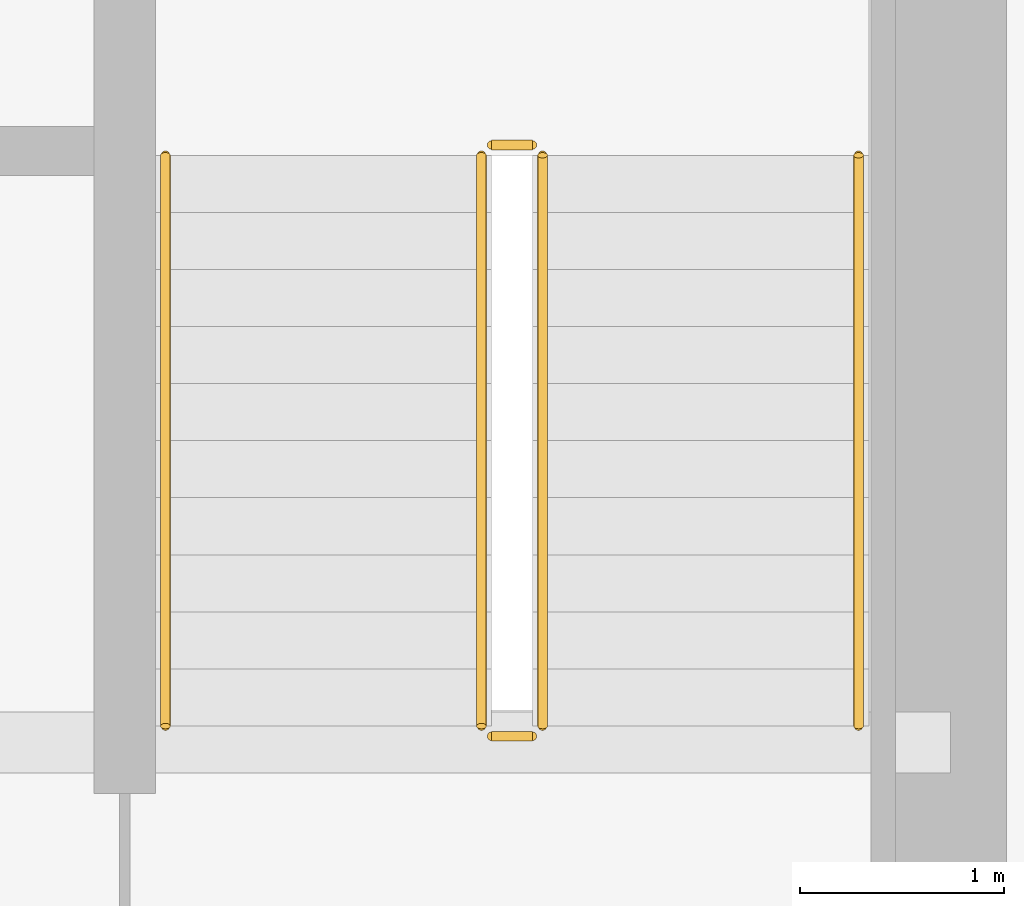
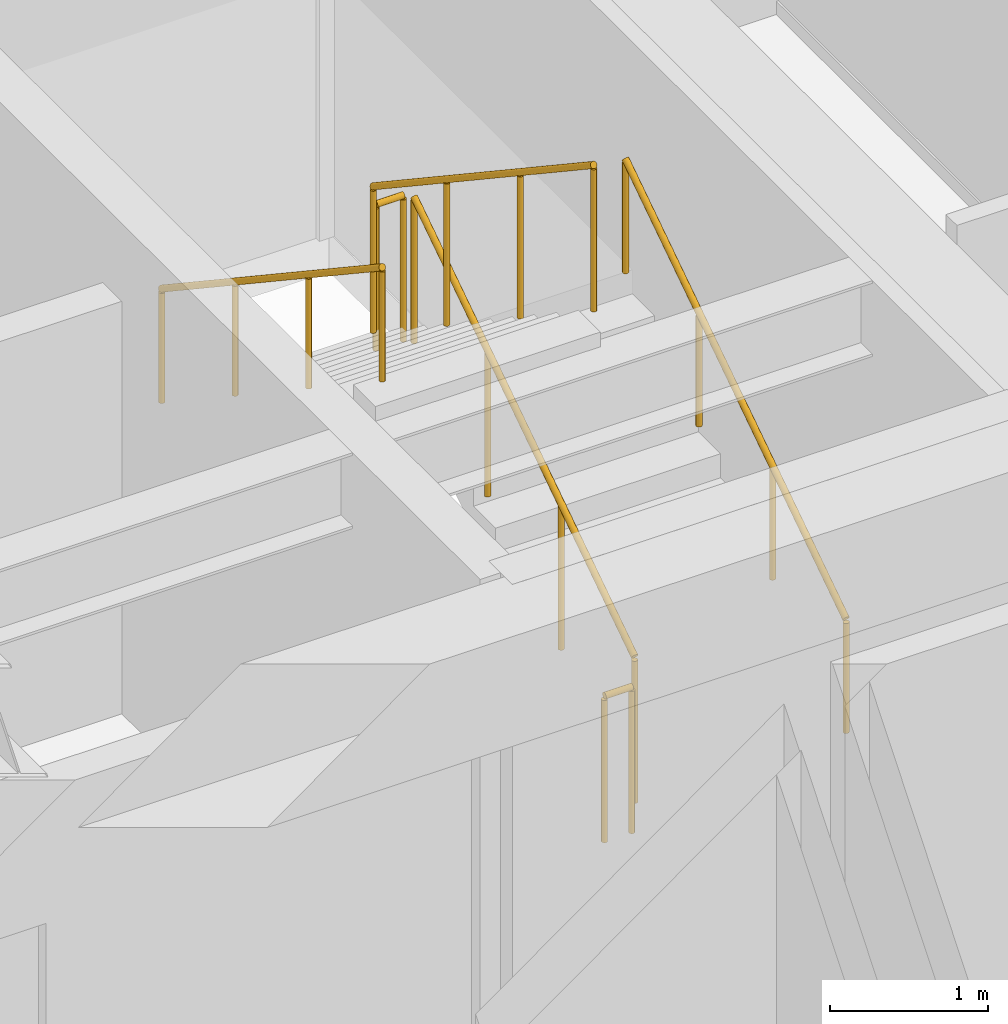
# One storey, part 33 of 33: 6 railings.
"""IFC4 building model written with IfcOpenShell, lengths in metres."""

from ifc_helpers import new_model, si_unit, direction, frame, origin, origin_2d, place, context, subcontext, project, spatial, circle, extrude, source, transform, mapped, material, type_object, type_shapes, element, save


model = new_model("IFC4")

# Units and contexts
model_context = context("Model", 3, precision=1e-05, world=origin(), true_north=direction((0.0, 1.0)))
body_context = subcontext(model_context, "Body", "Model", "MODEL_VIEW")
ifc_project = project(units=[si_unit("LENGTHUNIT", "METRE"), si_unit("AREAUNIT", "SQUARE_METRE"), si_unit("VOLUMEUNIT", "CUBIC_METRE"), si_unit("PLANEANGLEUNIT", "RADIAN"), si_unit("MASSUNIT", "GRAM", prefix="KILO")], contexts=[model_context])

# Site, building, storey
site_placement = place(None, origin())
site = spatial("IfcSite", under=ifc_project, at=site_placement, CompositionType="ELEMENT")
building_placement = place(site_placement, origin())
building = spatial("IfcBuilding", under=site, at=building_placement, Name="Haelvirn Gate Laboratories", CompositionType="ELEMENT")
storey_placement = place(building_placement, frame((0.0, 0.0, 258.800048828125)))
storey = spatial("IfcBuildingStorey", under=building, at=storey_placement, Name="L62", CompositionType="ELEMENT", Elevation=258.800048828125)

# Railings
ifc_material_1 = material(Name="Galvanised steel SM355 & stainless top rail", Category="steel")
railing_type_1 = type_object("IfcRailingType", Name="RL-GUARD-1150", PredefinedType="GUARDRAIL", material=ifc_material_1)
shared_shape_1 = source(origin(), body_context, "Body", "SweptSolid", [
    extrude(circle(Radius=0.02392578125, at=origin_2d()), frame((0.0, 0.0, 1.1259765625), z_axis=(0.0, 0.832452072856, 0.554097055034), x_axis=(-1.0, 0.0, 0.0)), (0.0, 0.0, 1.0), 3.363525390625),
    extrude(circle(Radius=0.02099609375, at=origin_2d()), origin(), (0.0, 0.0, 1.0), 1.101806640625),
    extrude(circle(Radius=0.02099609375, at=origin_2d()), frame((0.0, 0.933349609375, 0.621337890625)), (0.0, 0.0, 1.0), 1.101806640625),
    extrude(circle(Radius=0.02099609375, at=origin_2d()), frame((0.0, 1.86669921875, 1.242431640625)), (0.0, 0.0, 1.0), 1.101806640625),
    extrude(circle(Radius=0.02099609375, at=origin_2d()), frame((0.0, 2.800048828125, 1.86376953125)), (0.0, 0.0, 1.0), 1.101806640625),
])
railing_1_placement = place(storey_placement, frame((65.39990234375, 26.699951171875, 0.186279296875)))
element("IfcRailing", 1, at=railing_1_placement, inside=storey, type_object=railing_type_1, Name="L62 ST2 stair guard 1", PredefinedType="GUARDRAIL", context=body_context, shape_type="MappedRepresentation", body=[
    mapped(shared_shape_1, transform((0.0, 0.0, 0.0), scale=1.0)),
])
shared_shape_2 = source(origin(), body_context, "Body", "SweptSolid", [
    extrude(circle(Radius=0.02392578125, at=origin_2d()), frame((0.0, 0.0, 1.1259765625), z_axis=(0.0, -0.832485552168, 0.554046753832), x_axis=(1.0, 0.0, 0.0)), (0.0, 0.0, 1.0), 3.363525390625),
    extrude(circle(Radius=0.02099609375, at=origin_2d()), origin(), (0.0, 0.0, 1.0), 1.101806640625),
    extrude(circle(Radius=0.02099609375, at=origin_2d()), frame((0.0, -0.933349609375, 0.62109375)), (0.0, 0.0, 1.0), 1.101806640625),
    extrude(circle(Radius=0.02099609375, at=origin_2d()), frame((0.0, -1.86669921875, 1.242431640625)), (0.0, 0.0, 1.0), 1.101806640625),
    extrude(circle(Radius=0.02099609375, at=origin_2d()), frame((0.0, -2.800048828125, 1.863525390625)), (0.0, 0.0, 1.0), 1.101806640625),
])
railing_2_placement = place(storey_placement, frame((65.10009765625, 29.5, 2.236328125)))
element("IfcRailing", 2, at=railing_2_placement, inside=storey, type_object=railing_type_1, Name="L62 ST2 stair guard 3", PredefinedType="GUARDRAIL", context=body_context, shape_type="MappedRepresentation", body=[
    mapped(shared_shape_2, transform((0.0, 0.0, 0.0), scale=1.0)),
])
ifc_material_2 = material(Name="Brushed stainless steel 316L", Category="steel")
railing_type_2 = type_object("IfcRailingType", Name="RL-HAND-920", PredefinedType="HANDRAIL", material=ifc_material_2)
shared_shape_3 = source(origin(), body_context, "Body", "SweptSolid", [
    extrude(circle(Radius=0.02392578125, at=origin_2d()), frame((0.0, 0.0, 0.8759765625), z_axis=(0.0, 0.832452072856, 0.554097055034), x_axis=(-1.0, 0.0, 0.0)), (0.0, 0.0, 1.0), 3.363525390625),
    extrude(circle(Radius=0.02099609375, at=origin_2d()), origin(), (0.0, 0.0, 1.0), 0.851806640625),
    extrude(circle(Radius=0.02099609375, at=origin_2d()), frame((0.0, 0.933349609375, 0.621337890625)), (0.0, 0.0, 1.0), 0.851806640625),
    extrude(circle(Radius=0.02099609375, at=origin_2d()), frame((0.0, 1.86669921875, 1.242431640625)), (0.0, 0.0, 1.0), 0.851806640625),
    extrude(circle(Radius=0.02099609375, at=origin_2d()), frame((0.0, 2.800048828125, 1.86376953125)), (0.0, 0.0, 1.0), 0.851806640625),
])
railing_3_placement = place(storey_placement, frame((66.949951171875, 26.699951171875, 0.186279296875)))
element("IfcRailing", 3, at=railing_3_placement, inside=storey, type_object=railing_type_2, Name="L62 ST2 stair handrail 1", PredefinedType="HANDRAIL", context=body_context, shape_type="MappedRepresentation", body=[
    mapped(shared_shape_3, transform((0.0, 0.0, 0.0), scale=1.0)),
])
shared_shape_4 = source(origin(), body_context, "Body", "SweptSolid", [
    extrude(circle(Radius=0.02392578125, at=origin_2d()), frame((0.0, 0.0, 0.8759765625), z_axis=(0.0, -0.832485552168, 0.554046753832), x_axis=(1.0, 0.0, 0.0)), (0.0, 0.0, 1.0), 3.363525390625),
    extrude(circle(Radius=0.02099609375, at=origin_2d()), origin(), (0.0, 0.0, 1.0), 0.851806640625),
    extrude(circle(Radius=0.02099609375, at=origin_2d()), frame((0.0, -0.933349609375, 0.62109375)), (0.0, 0.0, 1.0), 0.851806640625),
    extrude(circle(Radius=0.02099609375, at=origin_2d()), frame((0.0, -1.86669921875, 1.242431640625)), (0.0, 0.0, 1.0), 0.851806640625),
    extrude(circle(Radius=0.02099609375, at=origin_2d()), frame((0.0, -2.800048828125, 1.863525390625)), (0.0, 0.0, 1.0), 0.851806640625),
])
type_shapes(railing_type_2, [shared_shape_3, shared_shape_4])
railing_4_placement = place(storey_placement, frame((63.550048828125, 29.5, 2.236328125)))
element("IfcRailing", 4, at=railing_4_placement, inside=storey, type_object=railing_type_2, Name="L62 ST2 stair handrail 2", PredefinedType="HANDRAIL", context=body_context, shape_type="MappedRepresentation", body=[
    mapped(shared_shape_4, transform((0.0, 0.0, 0.0), scale=1.0)),
])
shared_shape_5 = source(origin(), body_context, "Body", "SweptSolid", [
    extrude(circle(Radius=0.02392578125, at=origin_2d()), frame((0.0, 0.0, 1.1259765625), z_axis=(-1.0, 0.0, 0.0), x_axis=(0.0, -1.0, 0.0)), (0.0, 0.0, 1.0), 0.2001953125),
    extrude(circle(Radius=0.02099609375, at=origin_2d()), origin(), (0.0, 0.0, 1.0), 1.101806640625),
    extrude(circle(Radius=0.02099609375, at=origin_2d()), frame((-0.2001953125, 0.0, 0.0)), (0.0, 0.0, 1.0), 1.101806640625),
])
type_shapes(railing_type_1, [shared_shape_1, shared_shape_2, shared_shape_5])
for number, where, name in (
    (5, (65.35009765625, 29.550048828125, 2.050048828125), "L62 ST2 stair guard 2"),
    (6, (65.35009765625, 26.64990234375, 0.0), "L62 ST2 stair guard 4"),
):
    element("IfcRailing", number, at=place(storey_placement, frame(where)), inside=storey, type_object=railing_type_1, Name=name, PredefinedType="GUARDRAIL", context=body_context, shape_type="MappedRepresentation", body=[
        mapped(shared_shape_5, transform((0.0, 0.0, 0.0), scale=1.0)),
    ])

save(model, "model.ifc")
